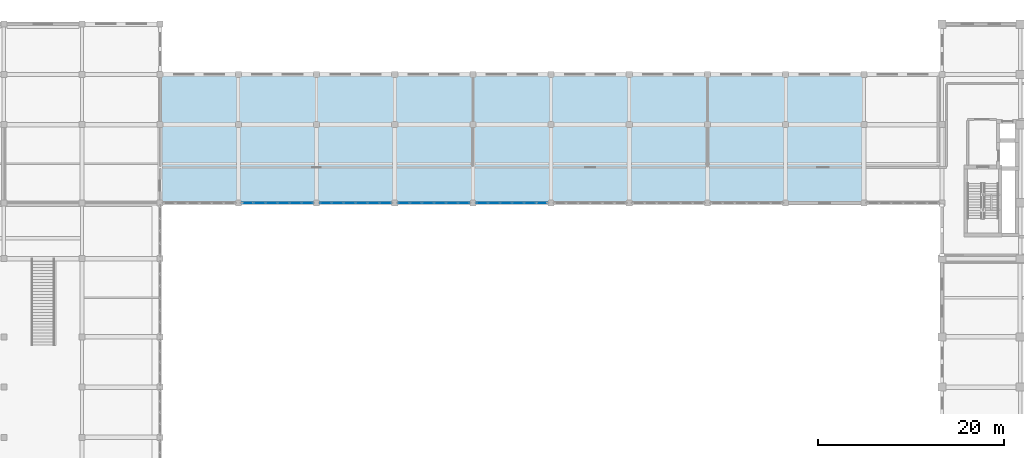
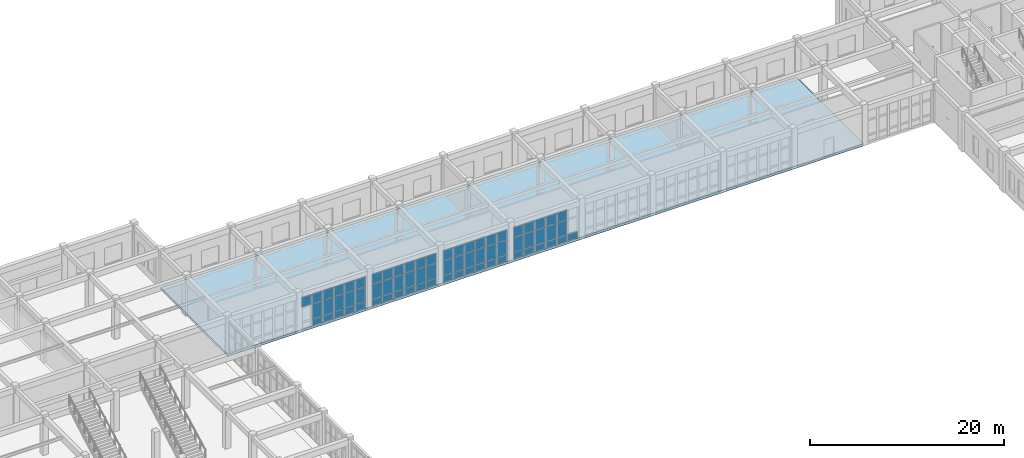
# One storey, part 47 of 80: 68 plates, 1 slab, 4 elements without a shape of their own.
"""IFC4 building model written with IfcOpenShell, lengths in metres."""

from ifc_helpers import new_model, si_unit, direction, frame, origin, origin_2d, place, context, subcontext, project, spatial, polyline, rectangle, outline, extrude, material, layer, layer_set, type_object, element, aggregate, save


model = new_model("IFC4")

# Units and contexts
model_context = context("Model", 3, precision=1e-05, world=origin(), true_north=direction((0.0, 1.0)))
body_context = subcontext(model_context, "Body", "Model", "MODEL_VIEW")
ifc_project = project(units=[si_unit("LENGTHUNIT", "METRE"), si_unit("AREAUNIT", "SQUARE_METRE"), si_unit("VOLUMEUNIT", "CUBIC_METRE"), si_unit("PLANEANGLEUNIT", "RADIAN"), si_unit("MASSUNIT", "GRAM", prefix="KILO")], contexts=[model_context])

# Site, building, storey
site_placement = place(None, origin())
site = spatial("IfcSite", under=ifc_project, at=site_placement, CompositionType="ELEMENT")
building_placement = place(site_placement, origin())
building = spatial("IfcBuilding", under=site, at=building_placement, Name="Krzemoval Escarpment Law Courts", CompositionType="ELEMENT")
storey_placement = place(building_placement, origin())
storey = spatial("IfcBuildingStorey", under=building, at=storey_placement, Name="L00", CompositionType="ELEMENT", Elevation=0.0)

# Curtain wall, plates
ifc_material_1 = material(Name="Aluminium 6063-T6", Category="aluminium")
ifc_layer_1 = layer(ifc_material_1, 0.280029296875)
ifc_layer_set_1 = layer_set([ifc_layer_1], Name="Aluminium 6063-T6")
curtain_wall_type = type_object("IfcCurtainWallType", Name="CW-HALL-5100", PredefinedType="USERDEFINED", material=ifc_layer_set_1)
curtain_wall_1_placement = place(storey_placement, origin())
curtain_wall_1 = element("IfcCurtainWall", 1, at=curtain_wall_1_placement, inside=storey, type_object=curtain_wall_type, Name="Unitised Curtain Wall FCW-L00-010", ObjectType="UNITISED_CURTAIN_WALL", PredefinedType="USERDEFINED")
ifc_material_2 = material(Name="Triple Glazing IGU", Category="glass")
ifc_layer_2 = layer(ifc_material_2, 0.053955078125)
ifc_layer_set_2 = layer_set([ifc_layer_2], Name="Triple Glazing IGU")
plate_type = type_object("IfcPlateType", Name="CWP-GLZ-54", PredefinedType="CURTAIN_PANEL", material=ifc_layer_set_2)
plate_1_placement = place(storey_placement, frame((83.0078125, 99.60009765625, 0.0849609375), z_axis=(0.0, 0.0, 1.0), x_axis=(-1.0, 0.0, 0.0)))
plate_1 = element("IfcPlate", 2, at=plate_1_placement, type_object=plate_type, Name="FCW-L00-010 panel 1.1", PredefinedType="CURTAIN_PANEL", context=body_context, shape_type="SweptSolid", body=[
    extrude(rectangle(XDim=1.1640625, YDim=0.053955078125, at=origin_2d()), origin(), (0.0, 0.0, 1.0), 0.7724609375),
])
plate_2_placement = place(storey_placement, frame((81.737548828125, 99.60009765625, 0.0849609375), z_axis=(0.0, 0.0, 1.0), x_axis=(-1.0, 0.0, 0.0)))
plate_2 = element("IfcPlate", 3, at=plate_2_placement, type_object=plate_type, Name="FCW-L00-010 panel 2.1", PredefinedType="CURTAIN_PANEL", context=body_context, shape_type="SweptSolid", body=[
    extrude(rectangle(XDim=1.206787109375, YDim=0.053955078125, at=origin_2d()), origin(), (0.0, 0.0, 1.0), 0.7724609375),
])
plate_3_placement = place(storey_placement, frame((81.737548828125, 99.60009765625, 0.942626953125), z_axis=(0.0, 0.0, 1.0), x_axis=(-1.0, 0.0, 0.0)))
plate_3 = element("IfcPlate", 4, at=plate_3_placement, type_object=plate_type, Name="FCW-L00-010 panel 2.2", PredefinedType="CURTAIN_PANEL", context=body_context, shape_type="SweptSolid", body=[
    extrude(rectangle(XDim=1.206787109375, YDim=0.053955078125, at=origin_2d()), origin(), (0.0, 0.0, 1.0), 1.81494140625),
])
plate_4_placement = place(storey_placement, frame((81.737548828125, 99.60009765625, 2.842529296875), z_axis=(0.0, 0.0, 1.0), x_axis=(-1.0, 0.0, 0.0)))
plate_4 = element("IfcPlate", 5, at=plate_4_placement, type_object=plate_type, Name="FCW-L00-010 panel 2.3", PredefinedType="CURTAIN_PANEL", context=body_context, shape_type="SweptSolid", body=[
    extrude(rectangle(XDim=1.206787109375, YDim=0.053955078125, at=origin_2d()), origin(), (0.0, 0.0, 1.0), 1.1923828125),
])
plate_5_placement = place(storey_placement, frame((80.44580078125, 99.60009765625, 0.0849609375), z_axis=(0.0, 0.0, 1.0), x_axis=(-1.0, 0.0, 0.0)))
plate_5 = element("IfcPlate", 6, at=plate_5_placement, type_object=plate_type, Name="FCW-L00-010 panel 3.1", PredefinedType="CURTAIN_PANEL", context=body_context, shape_type="SweptSolid", body=[
    extrude(rectangle(XDim=1.206787109375, YDim=0.053955078125, at=origin_2d()), origin(), (0.0, 0.0, 1.0), 0.7724609375),
])
plate_6_placement = place(storey_placement, frame((80.44580078125, 99.60009765625, 0.942626953125), z_axis=(0.0, 0.0, 1.0), x_axis=(-1.0, 0.0, 0.0)))
plate_6 = element("IfcPlate", 7, at=plate_6_placement, type_object=plate_type, Name="FCW-L00-010 panel 3.2", PredefinedType="CURTAIN_PANEL", context=body_context, shape_type="SweptSolid", body=[
    extrude(rectangle(XDim=1.206787109375, YDim=0.053955078125, at=origin_2d()), origin(), (0.0, 0.0, 1.0), 1.81494140625),
])
plate_7_placement = place(storey_placement, frame((80.44580078125, 99.60009765625, 2.842529296875), z_axis=(0.0, 0.0, 1.0), x_axis=(-1.0, 0.0, 0.0)))
plate_7 = element("IfcPlate", 8, at=plate_7_placement, type_object=plate_type, Name="FCW-L00-010 panel 3.3", PredefinedType="CURTAIN_PANEL", context=body_context, shape_type="SweptSolid", body=[
    extrude(rectangle(XDim=1.206787109375, YDim=0.053955078125, at=origin_2d()), origin(), (0.0, 0.0, 1.0), 1.1923828125),
])
plate_8_placement = place(storey_placement, frame((79.154052734375, 99.60009765625, 0.0849609375), z_axis=(0.0, 0.0, 1.0), x_axis=(-1.0, 0.0, 0.0)))
plate_8 = element("IfcPlate", 9, at=plate_8_placement, type_object=plate_type, Name="FCW-L00-010 panel 4.1", PredefinedType="CURTAIN_PANEL", context=body_context, shape_type="SweptSolid", body=[
    extrude(rectangle(XDim=1.206787109375, YDim=0.053955078125, at=origin_2d()), origin(), (0.0, 0.0, 1.0), 0.7724609375),
])
plate_9_placement = place(storey_placement, frame((79.154052734375, 99.60009765625, 0.942626953125), z_axis=(0.0, 0.0, 1.0), x_axis=(-1.0, 0.0, 0.0)))
plate_9 = element("IfcPlate", 10, at=plate_9_placement, type_object=plate_type, Name="FCW-L00-010 panel 4.2", PredefinedType="CURTAIN_PANEL", context=body_context, shape_type="SweptSolid", body=[
    extrude(rectangle(XDim=1.206787109375, YDim=0.053955078125, at=origin_2d()), origin(), (0.0, 0.0, 1.0), 1.81494140625),
])
plate_10_placement = place(storey_placement, frame((79.154052734375, 99.60009765625, 2.842529296875), z_axis=(0.0, 0.0, 1.0), x_axis=(-1.0, 0.0, 0.0)))
plate_10 = element("IfcPlate", 11, at=plate_10_placement, type_object=plate_type, Name="FCW-L00-010 panel 4.3", PredefinedType="CURTAIN_PANEL", context=body_context, shape_type="SweptSolid", body=[
    extrude(rectangle(XDim=1.206787109375, YDim=0.053955078125, at=origin_2d()), origin(), (0.0, 0.0, 1.0), 1.1923828125),
])
plate_11_placement = place(storey_placement, frame((77.862548828125, 99.60009765625, 0.0849609375), z_axis=(0.0, 0.0, 1.0), x_axis=(-1.0, 0.0, 0.0)))
plate_11 = element("IfcPlate", 12, at=plate_11_placement, type_object=plate_type, Name="FCW-L00-010 panel 5.1", PredefinedType="CURTAIN_PANEL", context=body_context, shape_type="SweptSolid", body=[
    extrude(rectangle(XDim=1.206787109375, YDim=0.053955078125, at=origin_2d()), origin(), (0.0, 0.0, 1.0), 0.7724609375),
])
plate_12_placement = place(storey_placement, frame((77.862548828125, 99.60009765625, 0.942626953125), z_axis=(0.0, 0.0, 1.0), x_axis=(-1.0, 0.0, 0.0)))
plate_12 = element("IfcPlate", 13, at=plate_12_placement, type_object=plate_type, Name="FCW-L00-010 panel 5.2", PredefinedType="CURTAIN_PANEL", context=body_context, shape_type="SweptSolid", body=[
    extrude(rectangle(XDim=1.206787109375, YDim=0.053955078125, at=origin_2d()), origin(), (0.0, 0.0, 1.0), 1.81494140625),
])
plate_13_placement = place(storey_placement, frame((77.862548828125, 99.60009765625, 2.842529296875), z_axis=(0.0, 0.0, 1.0), x_axis=(-1.0, 0.0, 0.0)))
plate_13 = element("IfcPlate", 14, at=plate_13_placement, type_object=plate_type, Name="FCW-L00-010 panel 5.3", PredefinedType="CURTAIN_PANEL", context=body_context, shape_type="SweptSolid", body=[
    extrude(rectangle(XDim=1.206787109375, YDim=0.053955078125, at=origin_2d()), origin(), (0.0, 0.0, 1.0), 1.1923828125),
])
plate_14_placement = place(storey_placement, frame((76.592041015625, 99.60009765625, 0.0849609375), z_axis=(0.0, 0.0, 1.0), x_axis=(-1.0, 0.0, 0.0)))
plate_14 = element("IfcPlate", 15, at=plate_14_placement, type_object=plate_type, Name="FCW-L00-010 panel 6.1", PredefinedType="CURTAIN_PANEL", context=body_context, shape_type="SweptSolid", body=[
    extrude(rectangle(XDim=1.1640625, YDim=0.053955078125, at=origin_2d()), origin(), (0.0, 0.0, 1.0), 0.7724609375),
])
plate_15_placement = place(storey_placement, frame((76.592041015625, 99.60009765625, 0.942626953125), z_axis=(0.0, 0.0, 1.0), x_axis=(-1.0, 0.0, 0.0)))
plate_15 = element("IfcPlate", 16, at=plate_15_placement, type_object=plate_type, Name="FCW-L00-010 panel 6.2", PredefinedType="CURTAIN_PANEL", context=body_context, shape_type="SweptSolid", body=[
    extrude(rectangle(XDim=1.1640625, YDim=0.053955078125, at=origin_2d()), origin(), (0.0, 0.0, 1.0), 1.81494140625),
])
plate_16_placement = place(storey_placement, frame((76.592041015625, 99.60009765625, 2.842529296875), z_axis=(0.0, 0.0, 1.0), x_axis=(-1.0, 0.0, 0.0)))
plate_16 = element("IfcPlate", 17, at=plate_16_placement, type_object=plate_type, Name="FCW-L00-010 panel 6.3", PredefinedType="CURTAIN_PANEL", context=body_context, shape_type="SweptSolid", body=[
    extrude(rectangle(XDim=1.1640625, YDim=0.053955078125, at=origin_2d()), origin(), (0.0, 0.0, 1.0), 1.1923828125),
])
aggregate(curtain_wall_1, [plate_1, plate_2, plate_3, plate_4, plate_5, plate_6, plate_7, plate_8, plate_9, plate_10, plate_11, plate_12, plate_13, plate_14, plate_15, plate_16])

curtain_wall_2_placement = place(storey_placement, origin())
curtain_wall_2 = element("IfcCurtainWall", 18, at=curtain_wall_2_placement, inside=storey, type_object=curtain_wall_type, Name="Unitised Curtain Wall FCW-L00-011", ObjectType="UNITISED_CURTAIN_WALL", PredefinedType="USERDEFINED")
plate_17_placement = place(storey_placement, frame((74.60791015625, 99.60009765625, 0.0849609375), z_axis=(0.0, 0.0, 1.0), x_axis=(-1.0, 0.0, 0.0)))
plate_17 = element("IfcPlate", 19, at=plate_17_placement, type_object=plate_type, Name="FCW-L00-011 panel 1.1", PredefinedType="CURTAIN_PANEL", context=body_context, shape_type="SweptSolid", body=[
    extrude(rectangle(XDim=1.1640625, YDim=0.053955078125, at=origin_2d()), origin(), (0.0, 0.0, 1.0), 0.7724609375),
])
plate_18_placement = place(storey_placement, frame((74.60791015625, 99.60009765625, 0.942626953125), z_axis=(0.0, 0.0, 1.0), x_axis=(-1.0, 0.0, 0.0)))
plate_18 = element("IfcPlate", 20, at=plate_18_placement, type_object=plate_type, Name="FCW-L00-011 panel 1.2", PredefinedType="CURTAIN_PANEL", context=body_context, shape_type="SweptSolid", body=[
    extrude(rectangle(XDim=1.1640625, YDim=0.053955078125, at=origin_2d()), origin(), (0.0, 0.0, 1.0), 1.81494140625),
])
plate_19_placement = place(storey_placement, frame((74.60791015625, 99.60009765625, 2.842529296875), z_axis=(0.0, 0.0, 1.0), x_axis=(-1.0, 0.0, 0.0)))
plate_19 = element("IfcPlate", 21, at=plate_19_placement, type_object=plate_type, Name="FCW-L00-011 panel 1.3", PredefinedType="CURTAIN_PANEL", context=body_context, shape_type="SweptSolid", body=[
    extrude(rectangle(XDim=1.1640625, YDim=0.053955078125, at=origin_2d()), origin(), (0.0, 0.0, 1.0), 1.1923828125),
])
plate_20_placement = place(storey_placement, frame((73.33740234375, 99.60009765625, 0.0849609375), z_axis=(0.0, 0.0, 1.0), x_axis=(-1.0, 0.0, 0.0)))
plate_20 = element("IfcPlate", 22, at=plate_20_placement, type_object=plate_type, Name="FCW-L00-011 panel 2.1", PredefinedType="CURTAIN_PANEL", context=body_context, shape_type="SweptSolid", body=[
    extrude(rectangle(XDim=1.206787109375, YDim=0.053955078125, at=origin_2d()), origin(), (0.0, 0.0, 1.0), 0.7724609375),
])
plate_21_placement = place(storey_placement, frame((73.33740234375, 99.60009765625, 0.942626953125), z_axis=(0.0, 0.0, 1.0), x_axis=(-1.0, 0.0, 0.0)))
plate_21 = element("IfcPlate", 23, at=plate_21_placement, type_object=plate_type, Name="FCW-L00-011 panel 2.2", PredefinedType="CURTAIN_PANEL", context=body_context, shape_type="SweptSolid", body=[
    extrude(rectangle(XDim=1.206787109375, YDim=0.053955078125, at=origin_2d()), origin(), (0.0, 0.0, 1.0), 1.81494140625),
])
plate_22_placement = place(storey_placement, frame((73.33740234375, 99.60009765625, 2.842529296875), z_axis=(0.0, 0.0, 1.0), x_axis=(-1.0, 0.0, 0.0)))
plate_22 = element("IfcPlate", 24, at=plate_22_placement, type_object=plate_type, Name="FCW-L00-011 panel 2.3", PredefinedType="CURTAIN_PANEL", context=body_context, shape_type="SweptSolid", body=[
    extrude(rectangle(XDim=1.206787109375, YDim=0.053955078125, at=origin_2d()), origin(), (0.0, 0.0, 1.0), 1.1923828125),
])
plate_23_placement = place(storey_placement, frame((72.0458984375, 99.60009765625, 0.0849609375), z_axis=(0.0, 0.0, 1.0), x_axis=(-1.0, 0.0, 0.0)))
plate_23 = element("IfcPlate", 25, at=plate_23_placement, type_object=plate_type, Name="FCW-L00-011 panel 3.1", PredefinedType="CURTAIN_PANEL", context=body_context, shape_type="SweptSolid", body=[
    extrude(rectangle(XDim=1.206787109375, YDim=0.053955078125, at=origin_2d()), origin(), (0.0, 0.0, 1.0), 0.7724609375),
])
plate_24_placement = place(storey_placement, frame((72.0458984375, 99.60009765625, 0.942626953125), z_axis=(0.0, 0.0, 1.0), x_axis=(-1.0, 0.0, 0.0)))
plate_24 = element("IfcPlate", 26, at=plate_24_placement, type_object=plate_type, Name="FCW-L00-011 panel 3.2", PredefinedType="CURTAIN_PANEL", context=body_context, shape_type="SweptSolid", body=[
    extrude(rectangle(XDim=1.206787109375, YDim=0.053955078125, at=origin_2d()), origin(), (0.0, 0.0, 1.0), 1.81494140625),
])
plate_25_placement = place(storey_placement, frame((72.0458984375, 99.60009765625, 2.842529296875), z_axis=(0.0, 0.0, 1.0), x_axis=(-1.0, 0.0, 0.0)))
plate_25 = element("IfcPlate", 27, at=plate_25_placement, type_object=plate_type, Name="FCW-L00-011 panel 3.3", PredefinedType="CURTAIN_PANEL", context=body_context, shape_type="SweptSolid", body=[
    extrude(rectangle(XDim=1.206787109375, YDim=0.053955078125, at=origin_2d()), origin(), (0.0, 0.0, 1.0), 1.1923828125),
])
plate_26_placement = place(storey_placement, frame((70.754150390625, 99.60009765625, 0.0849609375), z_axis=(0.0, 0.0, 1.0), x_axis=(-1.0, 0.0, 0.0)))
plate_26 = element("IfcPlate", 28, at=plate_26_placement, type_object=plate_type, Name="FCW-L00-011 panel 4.1", PredefinedType="CURTAIN_PANEL", context=body_context, shape_type="SweptSolid", body=[
    extrude(rectangle(XDim=1.206787109375, YDim=0.053955078125, at=origin_2d()), origin(), (0.0, 0.0, 1.0), 0.7724609375),
])
plate_27_placement = place(storey_placement, frame((70.754150390625, 99.60009765625, 0.942626953125), z_axis=(0.0, 0.0, 1.0), x_axis=(-1.0, 0.0, 0.0)))
plate_27 = element("IfcPlate", 29, at=plate_27_placement, type_object=plate_type, Name="FCW-L00-011 panel 4.2", PredefinedType="CURTAIN_PANEL", context=body_context, shape_type="SweptSolid", body=[
    extrude(rectangle(XDim=1.206787109375, YDim=0.053955078125, at=origin_2d()), origin(), (0.0, 0.0, 1.0), 1.81494140625),
])
plate_28_placement = place(storey_placement, frame((70.754150390625, 99.60009765625, 2.842529296875), z_axis=(0.0, 0.0, 1.0), x_axis=(-1.0, 0.0, 0.0)))
plate_28 = element("IfcPlate", 30, at=plate_28_placement, type_object=plate_type, Name="FCW-L00-011 panel 4.3", PredefinedType="CURTAIN_PANEL", context=body_context, shape_type="SweptSolid", body=[
    extrude(rectangle(XDim=1.206787109375, YDim=0.053955078125, at=origin_2d()), origin(), (0.0, 0.0, 1.0), 1.1923828125),
])
plate_29_placement = place(storey_placement, frame((69.46240234375, 99.60009765625, 0.0849609375), z_axis=(0.0, 0.0, 1.0), x_axis=(-1.0, 0.0, 0.0)))
plate_29 = element("IfcPlate", 31, at=plate_29_placement, type_object=plate_type, Name="FCW-L00-011 panel 5.1", PredefinedType="CURTAIN_PANEL", context=body_context, shape_type="SweptSolid", body=[
    extrude(rectangle(XDim=1.206787109375, YDim=0.053955078125, at=origin_2d()), origin(), (0.0, 0.0, 1.0), 0.7724609375),
])
plate_30_placement = place(storey_placement, frame((69.46240234375, 99.60009765625, 0.942626953125), z_axis=(0.0, 0.0, 1.0), x_axis=(-1.0, 0.0, 0.0)))
plate_30 = element("IfcPlate", 32, at=plate_30_placement, type_object=plate_type, Name="FCW-L00-011 panel 5.2", PredefinedType="CURTAIN_PANEL", context=body_context, shape_type="SweptSolid", body=[
    extrude(rectangle(XDim=1.206787109375, YDim=0.053955078125, at=origin_2d()), origin(), (0.0, 0.0, 1.0), 1.81494140625),
])
plate_31_placement = place(storey_placement, frame((69.46240234375, 99.60009765625, 2.842529296875), z_axis=(0.0, 0.0, 1.0), x_axis=(-1.0, 0.0, 0.0)))
plate_31 = element("IfcPlate", 33, at=plate_31_placement, type_object=plate_type, Name="FCW-L00-011 panel 5.3", PredefinedType="CURTAIN_PANEL", context=body_context, shape_type="SweptSolid", body=[
    extrude(rectangle(XDim=1.206787109375, YDim=0.053955078125, at=origin_2d()), origin(), (0.0, 0.0, 1.0), 1.1923828125),
])
plate_32_placement = place(storey_placement, frame((68.192138671875, 99.60009765625, 0.0849609375), z_axis=(0.0, 0.0, 1.0), x_axis=(-1.0, 0.0, 0.0)))
plate_32 = element("IfcPlate", 34, at=plate_32_placement, type_object=plate_type, Name="FCW-L00-011 panel 6.1", PredefinedType="CURTAIN_PANEL", context=body_context, shape_type="SweptSolid", body=[
    extrude(rectangle(XDim=1.1640625, YDim=0.053955078125, at=origin_2d()), origin(), (0.0, 0.0, 1.0), 0.7724609375),
])
plate_33_placement = place(storey_placement, frame((68.192138671875, 99.60009765625, 0.942626953125), z_axis=(0.0, 0.0, 1.0), x_axis=(-1.0, 0.0, 0.0)))
plate_33 = element("IfcPlate", 35, at=plate_33_placement, type_object=plate_type, Name="FCW-L00-011 panel 6.2", PredefinedType="CURTAIN_PANEL", context=body_context, shape_type="SweptSolid", body=[
    extrude(rectangle(XDim=1.1640625, YDim=0.053955078125, at=origin_2d()), origin(), (0.0, 0.0, 1.0), 1.81494140625),
])
plate_34_placement = place(storey_placement, frame((68.192138671875, 99.60009765625, 2.842529296875), z_axis=(0.0, 0.0, 1.0), x_axis=(-1.0, 0.0, 0.0)))
plate_34 = element("IfcPlate", 36, at=plate_34_placement, type_object=plate_type, Name="FCW-L00-011 panel 6.3", PredefinedType="CURTAIN_PANEL", context=body_context, shape_type="SweptSolid", body=[
    extrude(rectangle(XDim=1.1640625, YDim=0.053955078125, at=origin_2d()), origin(), (0.0, 0.0, 1.0), 1.1923828125),
])
aggregate(curtain_wall_2, [plate_17, plate_18, plate_19, plate_20, plate_21, plate_22, plate_23, plate_24, plate_25, plate_26, plate_27, plate_28, plate_29, plate_30, plate_31, plate_32, plate_33, plate_34])

curtain_wall_3_placement = place(storey_placement, origin())
curtain_wall_3 = element("IfcCurtainWall", 37, at=curtain_wall_3_placement, inside=storey, type_object=curtain_wall_type, Name="Unitised Curtain Wall FCW-L00-012", ObjectType="UNITISED_CURTAIN_WALL", PredefinedType="USERDEFINED")
plate_35_placement = place(storey_placement, frame((66.2080078125, 99.60009765625, 0.0849609375), z_axis=(0.0, 0.0, 1.0), x_axis=(-1.0, 0.0, 0.0)))
plate_35 = element("IfcPlate", 38, at=plate_35_placement, type_object=plate_type, Name="FCW-L00-012 panel 1.1", PredefinedType="CURTAIN_PANEL", context=body_context, shape_type="SweptSolid", body=[
    extrude(rectangle(XDim=1.1640625, YDim=0.053955078125, at=origin_2d()), origin(), (0.0, 0.0, 1.0), 0.7724609375),
])
plate_36_placement = place(storey_placement, frame((66.2080078125, 99.60009765625, 0.942626953125), z_axis=(0.0, 0.0, 1.0), x_axis=(-1.0, 0.0, 0.0)))
plate_36 = element("IfcPlate", 39, at=plate_36_placement, type_object=plate_type, Name="FCW-L00-012 panel 1.2", PredefinedType="CURTAIN_PANEL", context=body_context, shape_type="SweptSolid", body=[
    extrude(rectangle(XDim=1.1640625, YDim=0.053955078125, at=origin_2d()), origin(), (0.0, 0.0, 1.0), 1.81494140625),
])
plate_37_placement = place(storey_placement, frame((66.2080078125, 99.60009765625, 2.842529296875), z_axis=(0.0, 0.0, 1.0), x_axis=(-1.0, 0.0, 0.0)))
plate_37 = element("IfcPlate", 40, at=plate_37_placement, type_object=plate_type, Name="FCW-L00-012 panel 1.3", PredefinedType="CURTAIN_PANEL", context=body_context, shape_type="SweptSolid", body=[
    extrude(rectangle(XDim=1.1640625, YDim=0.053955078125, at=origin_2d()), origin(), (0.0, 0.0, 1.0), 1.1923828125),
])
plate_38_placement = place(storey_placement, frame((64.9375, 99.60009765625, 0.0849609375), z_axis=(0.0, 0.0, 1.0), x_axis=(-1.0, 0.0, 0.0)))
plate_38 = element("IfcPlate", 41, at=plate_38_placement, type_object=plate_type, Name="FCW-L00-012 panel 2.1", PredefinedType="CURTAIN_PANEL", context=body_context, shape_type="SweptSolid", body=[
    extrude(rectangle(XDim=1.206787109375, YDim=0.053955078125, at=origin_2d()), origin(), (0.0, 0.0, 1.0), 0.7724609375),
])
plate_39_placement = place(storey_placement, frame((64.9375, 99.60009765625, 0.942626953125), z_axis=(0.0, 0.0, 1.0), x_axis=(-1.0, 0.0, 0.0)))
plate_39 = element("IfcPlate", 42, at=plate_39_placement, type_object=plate_type, Name="FCW-L00-012 panel 2.2", PredefinedType="CURTAIN_PANEL", context=body_context, shape_type="SweptSolid", body=[
    extrude(rectangle(XDim=1.206787109375, YDim=0.053955078125, at=origin_2d()), origin(), (0.0, 0.0, 1.0), 1.81494140625),
])
plate_40_placement = place(storey_placement, frame((64.9375, 99.60009765625, 2.842529296875), z_axis=(0.0, 0.0, 1.0), x_axis=(-1.0, 0.0, 0.0)))
plate_40 = element("IfcPlate", 43, at=plate_40_placement, type_object=plate_type, Name="FCW-L00-012 panel 2.3", PredefinedType="CURTAIN_PANEL", context=body_context, shape_type="SweptSolid", body=[
    extrude(rectangle(XDim=1.206787109375, YDim=0.053955078125, at=origin_2d()), origin(), (0.0, 0.0, 1.0), 1.1923828125),
])
plate_41_placement = place(storey_placement, frame((63.645751953125, 99.60009765625, 0.0849609375), z_axis=(0.0, 0.0, 1.0), x_axis=(-1.0, 0.0, 0.0)))
plate_41 = element("IfcPlate", 44, at=plate_41_placement, type_object=plate_type, Name="FCW-L00-012 panel 3.1", PredefinedType="CURTAIN_PANEL", context=body_context, shape_type="SweptSolid", body=[
    extrude(rectangle(XDim=1.206787109375, YDim=0.053955078125, at=origin_2d()), origin(), (0.0, 0.0, 1.0), 0.7724609375),
])
plate_42_placement = place(storey_placement, frame((63.645751953125, 99.60009765625, 0.942626953125), z_axis=(0.0, 0.0, 1.0), x_axis=(-1.0, 0.0, 0.0)))
plate_42 = element("IfcPlate", 45, at=plate_42_placement, type_object=plate_type, Name="FCW-L00-012 panel 3.2", PredefinedType="CURTAIN_PANEL", context=body_context, shape_type="SweptSolid", body=[
    extrude(rectangle(XDim=1.206787109375, YDim=0.053955078125, at=origin_2d()), origin(), (0.0, 0.0, 1.0), 1.81494140625),
])
plate_43_placement = place(storey_placement, frame((63.645751953125, 99.60009765625, 2.842529296875), z_axis=(0.0, 0.0, 1.0), x_axis=(-1.0, 0.0, 0.0)))
plate_43 = element("IfcPlate", 46, at=plate_43_placement, type_object=plate_type, Name="FCW-L00-012 panel 3.3", PredefinedType="CURTAIN_PANEL", context=body_context, shape_type="SweptSolid", body=[
    extrude(rectangle(XDim=1.206787109375, YDim=0.053955078125, at=origin_2d()), origin(), (0.0, 0.0, 1.0), 1.1923828125),
])
plate_44_placement = place(storey_placement, frame((62.354248046875, 99.60009765625, 0.0849609375), z_axis=(0.0, 0.0, 1.0), x_axis=(-1.0, 0.0, 0.0)))
plate_44 = element("IfcPlate", 47, at=plate_44_placement, type_object=plate_type, Name="FCW-L00-012 panel 4.1", PredefinedType="CURTAIN_PANEL", context=body_context, shape_type="SweptSolid", body=[
    extrude(rectangle(XDim=1.206787109375, YDim=0.053955078125, at=origin_2d()), origin(), (0.0, 0.0, 1.0), 0.7724609375),
])
plate_45_placement = place(storey_placement, frame((62.354248046875, 99.60009765625, 0.942626953125), z_axis=(0.0, 0.0, 1.0), x_axis=(-1.0, 0.0, 0.0)))
plate_45 = element("IfcPlate", 48, at=plate_45_placement, type_object=plate_type, Name="FCW-L00-012 panel 4.2", PredefinedType="CURTAIN_PANEL", context=body_context, shape_type="SweptSolid", body=[
    extrude(rectangle(XDim=1.206787109375, YDim=0.053955078125, at=origin_2d()), origin(), (0.0, 0.0, 1.0), 1.81494140625),
])
plate_46_placement = place(storey_placement, frame((62.354248046875, 99.60009765625, 2.842529296875), z_axis=(0.0, 0.0, 1.0), x_axis=(-1.0, 0.0, 0.0)))
plate_46 = element("IfcPlate", 49, at=plate_46_placement, type_object=plate_type, Name="FCW-L00-012 panel 4.3", PredefinedType="CURTAIN_PANEL", context=body_context, shape_type="SweptSolid", body=[
    extrude(rectangle(XDim=1.206787109375, YDim=0.053955078125, at=origin_2d()), origin(), (0.0, 0.0, 1.0), 1.1923828125),
])
plate_47_placement = place(storey_placement, frame((61.0625, 99.60009765625, 0.0849609375), z_axis=(0.0, 0.0, 1.0), x_axis=(-1.0, 0.0, 0.0)))
plate_47 = element("IfcPlate", 50, at=plate_47_placement, type_object=plate_type, Name="FCW-L00-012 panel 5.1", PredefinedType="CURTAIN_PANEL", context=body_context, shape_type="SweptSolid", body=[
    extrude(rectangle(XDim=1.206787109375, YDim=0.053955078125, at=origin_2d()), origin(), (0.0, 0.0, 1.0), 0.7724609375),
])
plate_48_placement = place(storey_placement, frame((61.0625, 99.60009765625, 0.942626953125), z_axis=(0.0, 0.0, 1.0), x_axis=(-1.0, 0.0, 0.0)))
plate_48 = element("IfcPlate", 51, at=plate_48_placement, type_object=plate_type, Name="FCW-L00-012 panel 5.2", PredefinedType="CURTAIN_PANEL", context=body_context, shape_type="SweptSolid", body=[
    extrude(rectangle(XDim=1.206787109375, YDim=0.053955078125, at=origin_2d()), origin(), (0.0, 0.0, 1.0), 1.81494140625),
])
plate_49_placement = place(storey_placement, frame((61.0625, 99.60009765625, 2.842529296875), z_axis=(0.0, 0.0, 1.0), x_axis=(-1.0, 0.0, 0.0)))
plate_49 = element("IfcPlate", 52, at=plate_49_placement, type_object=plate_type, Name="FCW-L00-012 panel 5.3", PredefinedType="CURTAIN_PANEL", context=body_context, shape_type="SweptSolid", body=[
    extrude(rectangle(XDim=1.206787109375, YDim=0.053955078125, at=origin_2d()), origin(), (0.0, 0.0, 1.0), 1.1923828125),
])
plate_50_placement = place(storey_placement, frame((59.7919921875, 99.60009765625, 0.0849609375), z_axis=(0.0, 0.0, 1.0), x_axis=(-1.0, 0.0, 0.0)))
plate_50 = element("IfcPlate", 53, at=plate_50_placement, type_object=plate_type, Name="FCW-L00-012 panel 6.1", PredefinedType="CURTAIN_PANEL", context=body_context, shape_type="SweptSolid", body=[
    extrude(rectangle(XDim=1.1640625, YDim=0.053955078125, at=origin_2d()), origin(), (0.0, 0.0, 1.0), 0.7724609375),
])
plate_51_placement = place(storey_placement, frame((59.7919921875, 99.60009765625, 0.942626953125), z_axis=(0.0, 0.0, 1.0), x_axis=(-1.0, 0.0, 0.0)))
plate_51 = element("IfcPlate", 54, at=plate_51_placement, type_object=plate_type, Name="FCW-L00-012 panel 6.2", PredefinedType="CURTAIN_PANEL", context=body_context, shape_type="SweptSolid", body=[
    extrude(rectangle(XDim=1.1640625, YDim=0.053955078125, at=origin_2d()), origin(), (0.0, 0.0, 1.0), 1.81494140625),
])
plate_52_placement = place(storey_placement, frame((59.7919921875, 99.60009765625, 2.842529296875), z_axis=(0.0, 0.0, 1.0), x_axis=(-1.0, 0.0, 0.0)))
plate_52 = element("IfcPlate", 55, at=plate_52_placement, type_object=plate_type, Name="FCW-L00-012 panel 6.3", PredefinedType="CURTAIN_PANEL", context=body_context, shape_type="SweptSolid", body=[
    extrude(rectangle(XDim=1.1640625, YDim=0.053955078125, at=origin_2d()), origin(), (0.0, 0.0, 1.0), 1.1923828125),
])
aggregate(curtain_wall_3, [plate_35, plate_36, plate_37, plate_38, plate_39, plate_40, plate_41, plate_42, plate_43, plate_44, plate_45, plate_46, plate_47, plate_48, plate_49, plate_50, plate_51, plate_52])

curtain_wall_4_placement = place(storey_placement, origin())
curtain_wall_4 = element("IfcCurtainWall", 56, at=curtain_wall_4_placement, inside=storey, type_object=curtain_wall_type, Name="Unitised Curtain Wall FCW-L00-013", ObjectType="UNITISED_CURTAIN_WALL", PredefinedType="USERDEFINED")
plate_53_placement = place(storey_placement, frame((57.807861328125, 99.60009765625, 0.0849609375), z_axis=(0.0, 0.0, 1.0), x_axis=(-1.0, 0.0, 0.0)))
plate_53 = element("IfcPlate", 57, at=plate_53_placement, type_object=plate_type, Name="FCW-L00-013 panel 1.1", PredefinedType="CURTAIN_PANEL", context=body_context, shape_type="SweptSolid", body=[
    extrude(rectangle(XDim=1.1640625, YDim=0.053955078125, at=origin_2d()), origin(), (0.0, 0.0, 1.0), 0.7724609375),
])
plate_54_placement = place(storey_placement, frame((57.807861328125, 99.60009765625, 0.942626953125), z_axis=(0.0, 0.0, 1.0), x_axis=(-1.0, 0.0, 0.0)))
plate_54 = element("IfcPlate", 58, at=plate_54_placement, type_object=plate_type, Name="FCW-L00-013 panel 1.2", PredefinedType="CURTAIN_PANEL", context=body_context, shape_type="SweptSolid", body=[
    extrude(rectangle(XDim=1.1640625, YDim=0.053955078125, at=origin_2d()), origin(), (0.0, 0.0, 1.0), 1.81494140625),
])
plate_55_placement = place(storey_placement, frame((57.807861328125, 99.60009765625, 2.842529296875), z_axis=(0.0, 0.0, 1.0), x_axis=(-1.0, 0.0, 0.0)))
plate_55 = element("IfcPlate", 59, at=plate_55_placement, type_object=plate_type, Name="FCW-L00-013 panel 1.3", PredefinedType="CURTAIN_PANEL", context=body_context, shape_type="SweptSolid", body=[
    extrude(rectangle(XDim=1.1640625, YDim=0.053955078125, at=origin_2d()), origin(), (0.0, 0.0, 1.0), 1.1923828125),
])
plate_56_placement = place(storey_placement, frame((56.53759765625, 99.60009765625, 0.0849609375), z_axis=(0.0, 0.0, 1.0), x_axis=(-1.0, 0.0, 0.0)))
plate_56 = element("IfcPlate", 60, at=plate_56_placement, type_object=plate_type, Name="FCW-L00-013 panel 2.1", PredefinedType="CURTAIN_PANEL", context=body_context, shape_type="SweptSolid", body=[
    extrude(rectangle(XDim=1.206787109375, YDim=0.053955078125, at=origin_2d()), origin(), (0.0, 0.0, 1.0), 0.7724609375),
])
plate_57_placement = place(storey_placement, frame((56.53759765625, 99.60009765625, 0.942626953125), z_axis=(0.0, 0.0, 1.0), x_axis=(-1.0, 0.0, 0.0)))
plate_57 = element("IfcPlate", 61, at=plate_57_placement, type_object=plate_type, Name="FCW-L00-013 panel 2.2", PredefinedType="CURTAIN_PANEL", context=body_context, shape_type="SweptSolid", body=[
    extrude(rectangle(XDim=1.206787109375, YDim=0.053955078125, at=origin_2d()), origin(), (0.0, 0.0, 1.0), 1.81494140625),
])
plate_58_placement = place(storey_placement, frame((56.53759765625, 99.60009765625, 2.842529296875), z_axis=(0.0, 0.0, 1.0), x_axis=(-1.0, 0.0, 0.0)))
plate_58 = element("IfcPlate", 62, at=plate_58_placement, type_object=plate_type, Name="FCW-L00-013 panel 2.3", PredefinedType="CURTAIN_PANEL", context=body_context, shape_type="SweptSolid", body=[
    extrude(rectangle(XDim=1.206787109375, YDim=0.053955078125, at=origin_2d()), origin(), (0.0, 0.0, 1.0), 1.1923828125),
])
plate_59_placement = place(storey_placement, frame((55.245849609375, 99.60009765625, 0.0849609375), z_axis=(0.0, 0.0, 1.0), x_axis=(-1.0, 0.0, 0.0)))
plate_59 = element("IfcPlate", 63, at=plate_59_placement, type_object=plate_type, Name="FCW-L00-013 panel 3.1", PredefinedType="CURTAIN_PANEL", context=body_context, shape_type="SweptSolid", body=[
    extrude(rectangle(XDim=1.206787109375, YDim=0.053955078125, at=origin_2d()), origin(), (0.0, 0.0, 1.0), 0.7724609375),
])
plate_60_placement = place(storey_placement, frame((55.245849609375, 99.60009765625, 0.942626953125), z_axis=(0.0, 0.0, 1.0), x_axis=(-1.0, 0.0, 0.0)))
plate_60 = element("IfcPlate", 64, at=plate_60_placement, type_object=plate_type, Name="FCW-L00-013 panel 3.2", PredefinedType="CURTAIN_PANEL", context=body_context, shape_type="SweptSolid", body=[
    extrude(rectangle(XDim=1.206787109375, YDim=0.053955078125, at=origin_2d()), origin(), (0.0, 0.0, 1.0), 1.81494140625),
])
plate_61_placement = place(storey_placement, frame((55.245849609375, 99.60009765625, 2.842529296875), z_axis=(0.0, 0.0, 1.0), x_axis=(-1.0, 0.0, 0.0)))
plate_61 = element("IfcPlate", 65, at=plate_61_placement, type_object=plate_type, Name="FCW-L00-013 panel 3.3", PredefinedType="CURTAIN_PANEL", context=body_context, shape_type="SweptSolid", body=[
    extrude(rectangle(XDim=1.206787109375, YDim=0.053955078125, at=origin_2d()), origin(), (0.0, 0.0, 1.0), 1.1923828125),
])
plate_62_placement = place(storey_placement, frame((53.9541015625, 99.60009765625, 0.0849609375), z_axis=(0.0, 0.0, 1.0), x_axis=(-1.0, 0.0, 0.0)))
plate_62 = element("IfcPlate", 66, at=plate_62_placement, type_object=plate_type, Name="FCW-L00-013 panel 4.1", PredefinedType="CURTAIN_PANEL", context=body_context, shape_type="SweptSolid", body=[
    extrude(rectangle(XDim=1.206787109375, YDim=0.053955078125, at=origin_2d()), origin(), (0.0, 0.0, 1.0), 0.7724609375),
])
plate_63_placement = place(storey_placement, frame((53.9541015625, 99.60009765625, 0.942626953125), z_axis=(0.0, 0.0, 1.0), x_axis=(-1.0, 0.0, 0.0)))
plate_63 = element("IfcPlate", 67, at=plate_63_placement, type_object=plate_type, Name="FCW-L00-013 panel 4.2", PredefinedType="CURTAIN_PANEL", context=body_context, shape_type="SweptSolid", body=[
    extrude(rectangle(XDim=1.206787109375, YDim=0.053955078125, at=origin_2d()), origin(), (0.0, 0.0, 1.0), 1.81494140625),
])
plate_64_placement = place(storey_placement, frame((53.9541015625, 99.60009765625, 2.842529296875), z_axis=(0.0, 0.0, 1.0), x_axis=(-1.0, 0.0, 0.0)))
plate_64 = element("IfcPlate", 68, at=plate_64_placement, type_object=plate_type, Name="FCW-L00-013 panel 4.3", PredefinedType="CURTAIN_PANEL", context=body_context, shape_type="SweptSolid", body=[
    extrude(rectangle(XDim=1.206787109375, YDim=0.053955078125, at=origin_2d()), origin(), (0.0, 0.0, 1.0), 1.1923828125),
])
plate_65_placement = place(storey_placement, frame((52.66259765625, 99.60009765625, 0.0849609375), z_axis=(0.0, 0.0, 1.0), x_axis=(-1.0, 0.0, 0.0)))
plate_65 = element("IfcPlate", 69, at=plate_65_placement, type_object=plate_type, Name="FCW-L00-013 panel 5.1", PredefinedType="CURTAIN_PANEL", context=body_context, shape_type="SweptSolid", body=[
    extrude(rectangle(XDim=1.206787109375, YDim=0.053955078125, at=origin_2d()), origin(), (0.0, 0.0, 1.0), 0.7724609375),
])
plate_66_placement = place(storey_placement, frame((52.66259765625, 99.60009765625, 0.942626953125), z_axis=(0.0, 0.0, 1.0), x_axis=(-1.0, 0.0, 0.0)))
plate_66 = element("IfcPlate", 70, at=plate_66_placement, type_object=plate_type, Name="FCW-L00-013 panel 5.2", PredefinedType="CURTAIN_PANEL", context=body_context, shape_type="SweptSolid", body=[
    extrude(rectangle(XDim=1.206787109375, YDim=0.053955078125, at=origin_2d()), origin(), (0.0, 0.0, 1.0), 1.81494140625),
])
plate_67_placement = place(storey_placement, frame((52.66259765625, 99.60009765625, 2.842529296875), z_axis=(0.0, 0.0, 1.0), x_axis=(-1.0, 0.0, 0.0)))
plate_67 = element("IfcPlate", 71, at=plate_67_placement, type_object=plate_type, Name="FCW-L00-013 panel 5.3", PredefinedType="CURTAIN_PANEL", context=body_context, shape_type="SweptSolid", body=[
    extrude(rectangle(XDim=1.206787109375, YDim=0.053955078125, at=origin_2d()), origin(), (0.0, 0.0, 1.0), 1.1923828125),
])
plate_68_placement = place(storey_placement, frame((51.39208984375, 99.60009765625, 2.842529296875), z_axis=(0.0, 0.0, 1.0), x_axis=(-1.0, 0.0, 0.0)))
plate_68 = element("IfcPlate", 72, at=plate_68_placement, type_object=plate_type, Name="FCW-L00-013 panel 6.3", PredefinedType="CURTAIN_PANEL", context=body_context, shape_type="SweptSolid", body=[
    extrude(rectangle(XDim=1.1640625, YDim=0.053955078125, at=origin_2d()), origin(), (0.0, 0.0, 1.0), 1.1923828125),
])
aggregate(curtain_wall_4, [plate_53, plate_54, plate_55, plate_56, plate_57, plate_58, plate_59, plate_60, plate_61, plate_62, plate_63, plate_64, plate_65, plate_66, plate_67, plate_68])

# Slab
ifc_material_3 = material(Name="Concrete C40/50", Category="concrete")
ifc_layer_3 = layer(ifc_material_3, 0.300048828125)
ifc_layer_set_3 = layer_set([ifc_layer_3], Name="Concrete C40/50")
slab_type = type_object("IfcSlabType", Name="SL-FLR-300", PredefinedType="FLOOR", material=ifc_layer_set_3)
slab_placement = place(storey_placement, frame((0.0, 0.0, -0.300048828125)))
element("IfcSlab", 73, at=slab_placement, inside=storey, type_object=slab_type, Name="Floor Slab SL-L00-V4-012", PredefinedType="FLOOR", context=body_context, shape_type="SweptSolid", body=[
    extrude(outline(polyline([(42.0400390625, 99.60009765625), (42.0400390625, 113.39990234375), (117.56005859375, 113.39990234375), (117.56005859375, 99.60009765625), (42.0400390625, 99.60009765625)])), origin(), (0.0, 0.0, 1.0), 0.300048828125),
])

save(model, "model.ifc")
